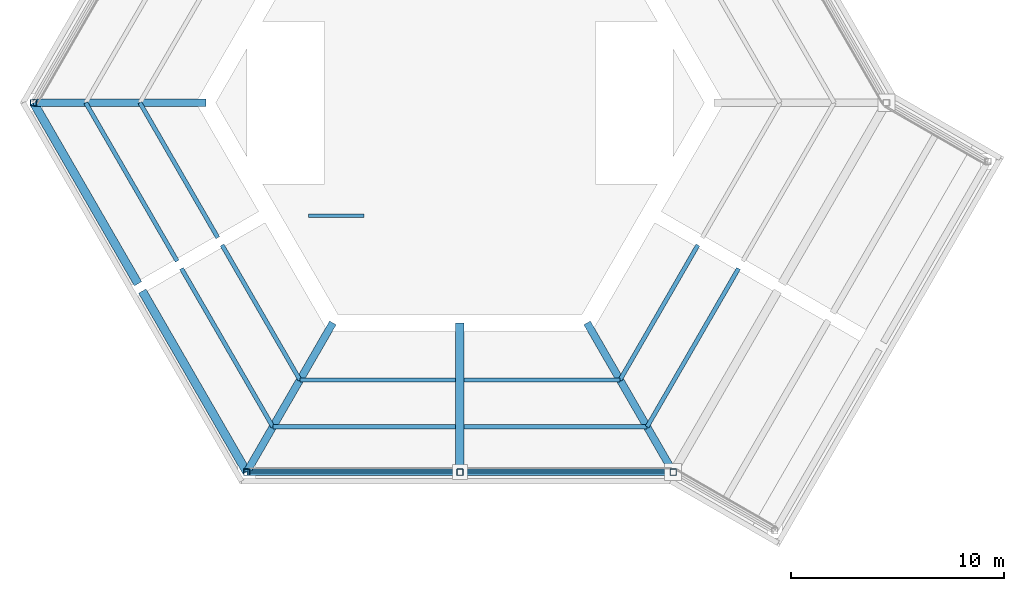
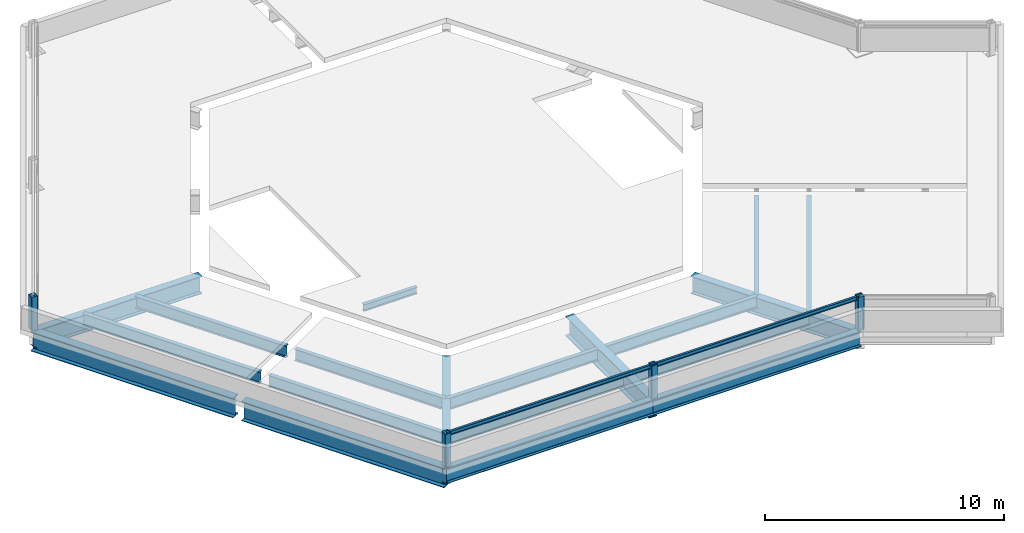
# One storey, part 1 of 6: 21 beams, 4 members.
"""IFC4 building model written with IfcOpenShell, lengths in metres."""

from ifc_helpers import new_model, si_unit, direction, frame, origin, origin_2d, place, context, subcontext, project, spatial, hollow_rectangle, i_section, extrude, material, material_profile, profile_set, type_object, element, save


model = new_model("IFC4")

# Units and contexts
model_context = context("Model", 3, precision=1e-05, world=origin(), true_north=direction((0.0, 1.0)))
body_context = subcontext(model_context, "Body", "Model", "MODEL_VIEW")
ifc_project = project(units=[si_unit("LENGTHUNIT", "METRE"), si_unit("AREAUNIT", "SQUARE_METRE"), si_unit("VOLUMEUNIT", "CUBIC_METRE"), si_unit("PLANEANGLEUNIT", "RADIAN"), si_unit("MASSUNIT", "GRAM", prefix="KILO")], contexts=[model_context])

# Site, building, storey
site_placement = place(None, origin())
site = spatial("IfcSite", under=ifc_project, at=site_placement, CompositionType="ELEMENT")
building_placement = place(site_placement, origin())
building = spatial("IfcBuilding", under=site, at=building_placement, Name="Kasaneha Research Tower", CompositionType="ELEMENT")
storey_placement = place(building_placement, frame((0.0, 0.0, 307.5)))
storey = spatial("IfcBuildingStorey", under=building, at=storey_placement, Name="RF", CompositionType="ELEMENT", Elevation=307.5)

# Beams
ifc_material_1 = material(Name="Steel SN490B", Category="steel")
ifc_material_profile_1 = material_profile(ifc_material_1, i_section(OverallWidth=0.199951171875, OverallDepth=0.60009765625, WebThickness=0.010986328125, FlangeThickness=0.01708984375, FilletRadius=0.012939453125, at=origin_2d()), Name="H-600x200x11x17")
ifc_profile_set_1 = profile_set([ifc_material_profile_1], Name="Steel SN490B")
beam_type_1 = type_object("IfcBeamType", Name="B1-6 secondary beam H-600x200x11x17", PredefinedType="JOIST", material=ifc_profile_set_1)
beam_1_placement = place(storey_placement, frame((-15.010986328125, 0.0, -0.550048828125), z_axis=(0.499974128195, -0.866040340363, 0.0), x_axis=(0.866040340363, 0.499974128195, 0.0)))
element("IfcBeam", 1, at=beam_1_placement, inside=storey, type_object=beam_type_1, Name="Secondary beam RS210L1 RF", PredefinedType="JOIST", context=body_context, shape_type="SweptSolid", body=[
    extrude(i_section(OverallWidth=0.199951171875, OverallDepth=0.60009765625, WebThickness=0.010986328125, FlangeThickness=0.01708984375, FilletRadius=0.012939453125, at=origin_2d()), origin(), (0.0, 0.0, 1.0), 7.3056640625),
])
beam_2_placement = place(storey_placement, frame((-17.551513671875, 0.0, -0.550048828125), z_axis=(0.500000102728, -0.866025344474, 0.0), x_axis=(0.866025344474, 0.500000102728, 0.0)))
element("IfcBeam", 2, at=beam_2_placement, inside=storey, type_object=beam_type_1, Name="Secondary beam RS210L2 RF", PredefinedType="JOIST", context=body_context, shape_type="SweptSolid", body=[
    extrude(i_section(OverallWidth=0.199951171875, OverallDepth=0.60009765625, WebThickness=0.010986328125, FlangeThickness=0.01708984375, FilletRadius=0.012939453125, at=origin_2d()), origin(), (0.0, 0.0, 1.0), 8.57568359375),
])
beam_3_placement = place(storey_placement, frame((-7.505615234375, -13.0, -0.550048828125), z_axis=(-0.499999192304, 0.866025870108, 0.0), x_axis=(-0.866025870108, -0.499999192304, 0.0)))
element("IfcBeam", 3, at=beam_3_placement, inside=storey, type_object=beam_type_1, Name="Secondary beam RS210R1 RF", PredefinedType="JOIST", context=body_context, shape_type="SweptSolid", body=[
    extrude(i_section(OverallWidth=0.199951171875, OverallDepth=0.60009765625, WebThickness=0.010986328125, FlangeThickness=0.01708984375, FilletRadius=0.012939453125, at=origin_2d()), origin(), (0.0, 0.0, 1.0), 7.3056640625),
])
beam_4_placement = place(storey_placement, frame((-8.775634765625, -15.199951171875, -0.550048828125), z_axis=(-0.500000102728, 0.866025344474, 0.0), x_axis=(-0.866025344474, -0.500000102728, 0.0)))
element("IfcBeam", 4, at=beam_4_placement, inside=storey, type_object=beam_type_1, Name="Secondary beam RS210R2 RF", PredefinedType="JOIST", context=body_context, shape_type="SweptSolid", body=[
    extrude(i_section(OverallWidth=0.199951171875, OverallDepth=0.60009765625, WebThickness=0.010986328125, FlangeThickness=0.01708984375, FilletRadius=0.012939453125, at=origin_2d()), origin(), (0.0, 0.0, 1.0), 8.57568359375),
])
beam_5_placement = place(storey_placement, frame((-7.505615234375, -13.0, -0.550048828125), z_axis=(1.0, 0.0, 0.0), x_axis=(0.0, 1.0, 0.0)))
element("IfcBeam", 5, at=beam_5_placement, inside=storey, type_object=beam_type_1, Name="Secondary beam RS270L1 RF", PredefinedType="JOIST", context=body_context, shape_type="SweptSolid", body=[
    extrude(i_section(OverallWidth=0.199951171875, OverallDepth=0.60009765625, WebThickness=0.010986328125, FlangeThickness=0.01708984375, FilletRadius=0.012939453125, at=origin_2d()), origin(), (0.0, 0.0, 1.0), 7.3056640625),
])
beam_6_placement = place(storey_placement, frame((-8.775634765625, -15.199951171875, -0.550048828125), z_axis=(1.0, 0.0, 0.0), x_axis=(0.0, 1.0, 0.0)))
element("IfcBeam", 6, at=beam_6_placement, inside=storey, type_object=beam_type_1, Name="Secondary beam RS270L2 RF", PredefinedType="JOIST", context=body_context, shape_type="SweptSolid", body=[
    extrude(i_section(OverallWidth=0.199951171875, OverallDepth=0.60009765625, WebThickness=0.010986328125, FlangeThickness=0.01708984375, FilletRadius=0.012939453125, at=origin_2d()), origin(), (0.0, 0.0, 1.0), 8.57568359375),
])
beam_7_placement = place(storey_placement, frame((7.505615234375, -13.0, -0.550048828125), z_axis=(-1.0, 0.0, 0.0), x_axis=(0.0, -1.0, 0.0)))
element("IfcBeam", 7, at=beam_7_placement, inside=storey, type_object=beam_type_1, Name="Secondary beam RS270R1 RF", PredefinedType="JOIST", context=body_context, shape_type="SweptSolid", body=[
    extrude(i_section(OverallWidth=0.199951171875, OverallDepth=0.60009765625, WebThickness=0.010986328125, FlangeThickness=0.01708984375, FilletRadius=0.012939453125, at=origin_2d()), origin(), (0.0, 0.0, 1.0), 7.3056640625),
])
beam_8_placement = place(storey_placement, frame((8.775634765625, -15.199951171875, -0.550048828125), z_axis=(-1.0, 0.0, 0.0), x_axis=(0.0, -1.0, 0.0)))
element("IfcBeam", 8, at=beam_8_placement, inside=storey, type_object=beam_type_1, Name="Secondary beam RS270R2 RF", PredefinedType="JOIST", context=body_context, shape_type="SweptSolid", body=[
    extrude(i_section(OverallWidth=0.199951171875, OverallDepth=0.60009765625, WebThickness=0.010986328125, FlangeThickness=0.01708984375, FilletRadius=0.012939453125, at=origin_2d()), origin(), (0.0, 0.0, 1.0), 8.57568359375),
])
beam_9_placement = place(storey_placement, frame((7.505615234375, -13.0, -0.550048828125), z_axis=(0.499999192304, 0.866025870108, 0.0), x_axis=(-0.866025870108, 0.499999192304, 0.0)))
element("IfcBeam", 9, at=beam_9_placement, inside=storey, type_object=beam_type_1, Name="Secondary beam RS330L1 RF", PredefinedType="JOIST", context=body_context, shape_type="SweptSolid", body=[
    extrude(i_section(OverallWidth=0.199951171875, OverallDepth=0.60009765625, WebThickness=0.010986328125, FlangeThickness=0.01708984375, FilletRadius=0.012939453125, at=origin_2d()), origin(), (0.0, 0.0, 1.0), 7.3056640625),
])
beam_10_placement = place(storey_placement, frame((8.775634765625, -15.199951171875, -0.550048828125), z_axis=(0.500000102728, 0.866025344474, 0.0), x_axis=(-0.866025344474, 0.500000102728, 0.0)))
element("IfcBeam", 10, at=beam_10_placement, inside=storey, type_object=beam_type_1, Name="Secondary beam RS330L2 RF", PredefinedType="JOIST", context=body_context, shape_type="SweptSolid", body=[
    extrude(i_section(OverallWidth=0.199951171875, OverallDepth=0.60009765625, WebThickness=0.010986328125, FlangeThickness=0.01708984375, FilletRadius=0.012939453125, at=origin_2d()), origin(), (0.0, 0.0, 1.0), 8.57568359375),
])

# Members
ifc_material_2 = material(Name="Steel BCR295", Category="steel")
ifc_material_profile_2 = material_profile(ifc_material_2, hollow_rectangle(XDim=0.300048828125, YDim=0.300048828125, WallThickness=0.011962890625, InnerFilletRadius=0.01806640625, OuterFilletRadius=0.030029296875, at=origin_2d()), Name="BCR-300x300x12")
ifc_profile_set_2 = profile_set([ifc_material_profile_2], Name="Steel BCR295")
member_type = type_object("IfcMemberType", Name="Crown screen post BCR-300x300x12", PredefinedType="POST", material=ifc_profile_set_2)
for number, where, z_axis, x_axis, name in (
    (11, (0.0, -17.320556640625, -0.199951171875), (0.0, 0.0, 1.0), (1.0, 0.0, 0.0), "Crown screen post M270"),
    (12, (-20.0, 0.0, -0.199951171875), (0.0, 0.0, 1.0), (1.0, 0.0, 0.0), "Crown screen post V3"),
    (13, (-10.0, -17.320556640625, -0.199951171875), (0.0, 0.0, 1.0), (1.0, 0.0, 0.0), "Crown screen post V4"),
    (14, (10.0, -17.320556640625, -0.199951171875), (0.0, 0.0, 1.0), (1.0, 0.0, 0.0), "Crown screen post V5"),
):
    element("IfcMember", number, at=place(storey_placement, frame(where, z_axis=z_axis, x_axis=x_axis)), inside=storey, type_object=member_type, Name=name, PredefinedType="POST", context=body_context, shape_type="SweptSolid", body=[
        extrude(hollow_rectangle(XDim=0.300048828125, YDim=0.300048828125, WallThickness=0.011962890625, InnerFilletRadius=0.01806640625, OuterFilletRadius=0.030029296875, at=origin_2d()), origin(), (0.0, 0.0, 1.0), 1.699951171875),
    ])

# Beams
ifc_material_3 = material(Name="Steel SN400B", Category="steel")
ifc_material_profile_3 = material_profile(ifc_material_3, i_section(OverallWidth=0.10009765625, OverallDepth=0.199951171875, WebThickness=0.005615234375, FlangeThickness=0.008056640625, FilletRadius=0.008056640625, at=origin_2d()), Name="H-200x100x5.5x8")
ifc_profile_set_3 = profile_set([ifc_material_profile_3], Name="Steel SN400B")
beam_type_2 = type_object("IfcBeamType", Name="Crown screen rail H-200x100x5.5x8", PredefinedType="BEAM", material=ifc_profile_set_3)
for number, where, z_axis, x_axis, name in (
    (15, (10.0, -17.320556640625, 1.39990234375), (-1.0, 0.0, 0.0), (0.0, -1.0, 0.0), "Crown screen rail V5-M270"),
    (16, (0.0, -17.320556640625, 1.39990234375), (-1.0, 0.0, 0.0), (0.0, -1.0, 0.0), "Crown screen rail M270-V4"),
):
    element("IfcBeam", number, at=place(storey_placement, frame(where, z_axis=z_axis, x_axis=x_axis)), inside=storey, type_object=beam_type_2, Name=name, PredefinedType="BEAM", context=body_context, shape_type="SweptSolid", body=[
        extrude(i_section(OverallWidth=0.10009765625, OverallDepth=0.199951171875, WebThickness=0.005615234375, FlangeThickness=0.008056640625, FilletRadius=0.008056640625, at=origin_2d()), origin(), (0.0, 0.0, 1.0), 10.0),
    ])
ifc_material_4 = material(Name="Steel SN490B", Category="steel")
ifc_material_profile_4 = material_profile(ifc_material_4, i_section(OverallWidth=0.35009765625, OverallDepth=0.89990234375, WebThickness=0.01611328125, FlangeThickness=0.031982421875, at=origin_2d()), Name="BH-900x350x16x32")
ifc_profile_set_4 = profile_set([ifc_material_profile_4], Name="Steel SN490B")
beam_type_3 = type_object("IfcBeamType", Name="G1-6 radial girder BH-900x350x16x32", PredefinedType="BEAM", material=ifc_profile_set_4)
beam_11_placement = place(storey_placement, frame((-11.92236328125, 0.0, -0.699951171875), z_axis=(-1.0, 0.0, 0.0), x_axis=(0.0, -1.0, 0.0)))
element("IfcBeam", 17, at=beam_11_placement, inside=storey, type_object=beam_type_3, Name="Radial girder RV180 RF", PredefinedType="BEAM", context=body_context, shape_type="SweptSolid", body=[
    extrude(i_section(OverallWidth=0.35009765625, OverallDepth=0.89990234375, WebThickness=0.01611328125, FlangeThickness=0.031982421875, at=origin_2d()), origin(), (0.0, 0.0, 1.0), 8.07763671875),
])
for number, where, z_axis, x_axis, name in (
    (18, (-5.961181640625, -10.324951171875, -0.699951171875), (-0.49999105496, -0.866030568144, 0.0), (0.866030568144, -0.49999105496, 0.0), "Radial girder RV240 RF"),
    (19, (5.961181640625, -10.324951171875, -0.699951171875), (0.49999105496, -0.866030568144, 0.0), (0.866030568144, 0.49999105496, 0.0), "Radial girder RV300 RF"),
):
    element("IfcBeam", number, at=place(storey_placement, frame(where, z_axis=z_axis, x_axis=x_axis)), inside=storey, type_object=beam_type_3, Name=name, PredefinedType="BEAM", context=body_context, shape_type="SweptSolid", body=[
        extrude(i_section(OverallWidth=0.35009765625, OverallDepth=0.89990234375, WebThickness=0.01611328125, FlangeThickness=0.031982421875, at=origin_2d()), origin(), (0.0, 0.0, 1.0), 8.077880859375),
    ])
ifc_material_5 = material(Name="Steel SN490B", Category="steel")
ifc_material_profile_5 = material_profile(ifc_material_5, i_section(OverallWidth=0.39990234375, OverallDepth=1.0, WebThickness=0.01904296875, FlangeThickness=0.035888671875, at=origin_2d()), Name="BH-1000x400x19x36")
ifc_profile_set_5 = profile_set([ifc_material_profile_5], Name="Steel SN490B")
beam_type_4 = type_object("IfcBeamType", Name="G2-6 radial girder BH-1000x400x19x36", PredefinedType="BEAM", material=ifc_profile_set_5)
beam_12_placement = place(storey_placement, frame((0.0, -10.324951171875, -0.75), z_axis=(0.0, -1.0, 0.0), x_axis=(1.0, 0.0, 0.0)))
element("IfcBeam", 20, at=beam_12_placement, inside=storey, type_object=beam_type_4, Name="Radial girder RM270 RF", PredefinedType="BEAM", context=body_context, shape_type="SweptSolid", body=[
    extrude(i_section(OverallWidth=0.39990234375, OverallDepth=1.0, WebThickness=0.01904296875, FlangeThickness=0.035888671875, at=origin_2d()), origin(), (0.0, 0.0, 1.0), 6.99560546875),
])
ifc_material_6 = material(Name="Steel SN490B", Category="steel")
ifc_material_profile_6 = material_profile(ifc_material_6, i_section(OverallWidth=0.39990234375, OverallDepth=1.0, WebThickness=0.01904296875, FlangeThickness=0.035888671875, at=origin_2d()), Name="BH-1000x400x19x36")
ifc_profile_set_6 = profile_set([ifc_material_profile_6], Name="Steel SN490B")
beam_type_5 = type_object("IfcBeamType", Name="G3-6 plate edge girder BH-1000x400x19x36", PredefinedType="BEAM", material=ifc_profile_set_6)
for number, where, z_axis, x_axis, name in (
    (21, (-20.0, 0.0, -0.75), (0.49999201416, -0.866030014362, 0.0), (0.866030014362, 0.49999201416, 0.0), "Plate edge girder PEBP RF"),
    (22, (-10.0, -17.320556640625, -0.75), (-0.49999201416, 0.866030014362, 0.0), (-0.866030014362, -0.49999201416, 0.0), "Plate edge girder PEBN RF"),
):
    element("IfcBeam", number, at=place(storey_placement, frame(where, z_axis=z_axis, x_axis=x_axis)), inside=storey, type_object=beam_type_5, Name=name, PredefinedType="BEAM", context=body_context, shape_type="SweptSolid", body=[
        extrude(i_section(OverallWidth=0.39990234375, OverallDepth=1.0, WebThickness=0.01904296875, FlangeThickness=0.035888671875, at=origin_2d()), origin(), (0.0, 0.0, 1.0), 9.800048828125),
    ])
ifc_material_7 = material(Name="Steel SN490B", Category="steel")
ifc_material_profile_7 = material_profile(ifc_material_7, i_section(OverallWidth=0.175048828125, OverallDepth=0.35009765625, WebThickness=0.007080078125, FlangeThickness=0.010986328125, FilletRadius=0.012939453125, at=origin_2d()), Name="H-350x175x7x11")
ifc_profile_set_7 = profile_set([ifc_material_profile_7], Name="Steel SN490B")
beam_type_6 = type_object("IfcBeamType", Name="HB2 lift hoist beam H-350x175x7x11", PredefinedType="BEAM", material=ifc_profile_set_7)
beam_13_placement = place(storey_placement, frame((-7.10009765625, -5.300048828125, -0.425048828125), z_axis=(1.0, 0.0, 0.0), x_axis=(0.0, 1.0, 0.0)))
element("IfcBeam", 23, at=beam_13_placement, inside=storey, type_object=beam_type_6, Name="Lift hoist beam FL2", PredefinedType="BEAM", context=body_context, shape_type="SweptSolid", body=[
    extrude(i_section(OverallWidth=0.175048828125, OverallDepth=0.35009765625, WebThickness=0.007080078125, FlangeThickness=0.010986328125, FilletRadius=0.012939453125, at=origin_2d()), origin(), (0.0, 0.0, 1.0), 2.60009765625),
])
ifc_material_8 = material(Name="Steel SN490B", Category="steel")
ifc_material_profile_8 = material_profile(ifc_material_8, i_section(OverallWidth=0.300048828125, OverallDepth=0.800048828125, WebThickness=0.013916015625, FlangeThickness=0.02587890625, FilletRadius=0.01806640625, at=origin_2d()), Name="H-800x300x14x26")
ifc_profile_set_8 = profile_set([ifc_material_profile_8], Name="Steel SN490B")
beam_type_7 = type_object("IfcBeamType", Name="SB1-6 spandrel beam H-800x300x14x26", PredefinedType="SPANDREL", material=ifc_profile_set_8)
for number, where, z_axis, x_axis, name in (
    (24, (-10.0, -17.320556640625, -0.64990234375), (1.0, 0.0, 0.0), (0.0, 1.0, 0.0), "Spandrel beam SR270L RF"),
    (25, (10.0, -17.320556640625, -0.64990234375), (-1.0, 0.0, 0.0), (0.0, -1.0, 0.0), "Spandrel beam SR270R RF"),
):
    element("IfcBeam", number, at=place(storey_placement, frame(where, z_axis=z_axis, x_axis=x_axis)), inside=storey, type_object=beam_type_7, Name=name, PredefinedType="SPANDREL", context=body_context, shape_type="SweptSolid", body=[
        extrude(i_section(OverallWidth=0.300048828125, OverallDepth=0.800048828125, WebThickness=0.013916015625, FlangeThickness=0.02587890625, FilletRadius=0.01806640625, at=origin_2d()), origin(), (0.0, 0.0, 1.0), 10.0),
    ])

save(model, "model.ifc")
